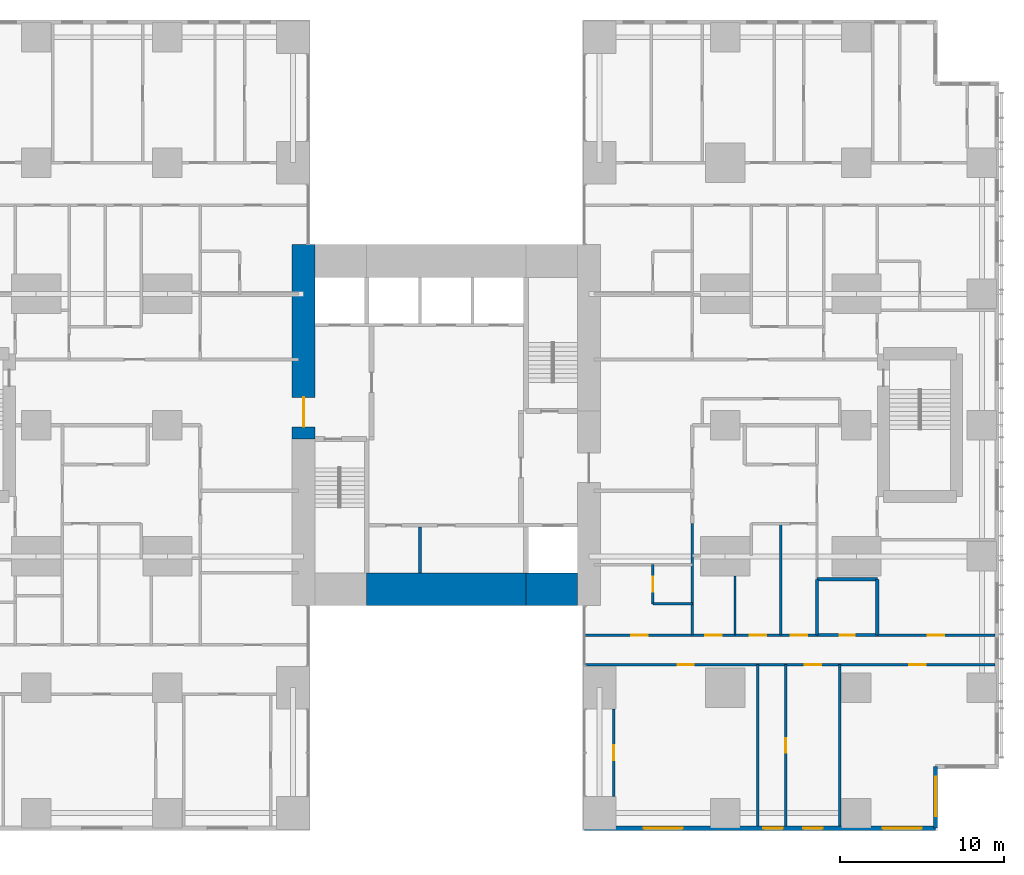
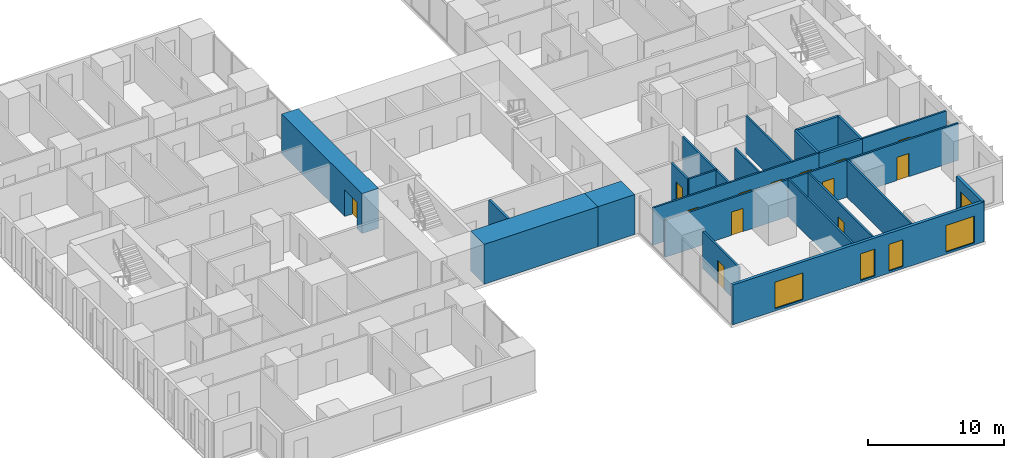
# One storey, part 14 of 20: 22 walls, 13 doors, 5 windows, 18 openings.
"""IFC4 building model written with IfcOpenShell, lengths in metres."""

from ifc_helpers import new_model, si_unit, direction, frame, frame_2d, origin, place, context, subcontext, project, spatial, rectangle, extrude, material, layer, layer_set, type_object, element, fill, save


model = new_model("IFC4")

# Units and contexts
model_context = context("Model", 3, precision=1e-05, world=origin(), true_north=direction((0.0, 1.0)))
body_context = subcontext(model_context, "Body", "Model", "MODEL_VIEW")
ifc_project = project(units=[si_unit("LENGTHUNIT", "METRE"), si_unit("AREAUNIT", "SQUARE_METRE"), si_unit("VOLUMEUNIT", "CUBIC_METRE"), si_unit("PLANEANGLEUNIT", "RADIAN"), si_unit("MASSUNIT", "GRAM", prefix="KILO")], contexts=[model_context])

# Site, building, storey
site_placement = place(None, origin())
site = spatial("IfcSite", under=ifc_project, at=site_placement, CompositionType="ELEMENT")
building_placement = place(site_placement, origin())
building = spatial("IfcBuilding", under=site, at=building_placement, Name="Cleftline Residences", CompositionType="ELEMENT")
storey_placement = place(building_placement, frame((0.0, 0.0, 185.800048828125)))
storey = spatial("IfcBuildingStorey", under=building, at=storey_placement, Name="L48", CompositionType="ELEMENT", Elevation=185.800048828125)

# Wall, opening, door
ifc_material_1 = material(Name="Concrete B70", Category="concrete")
ifc_layer_1 = layer(ifc_material_1, 1.39990234375)
ifc_layer_set_1 = layer_set([ifc_layer_1], Name="CORE WALL 1400")
wall_type_1 = type_object("IfcWallType", Name="CORE WALL 1400", PredefinedType="SHEAR", material=ifc_layer_set_1)
wall_1_placement = place(storey_placement, frame((24.300048828125, 23.14990234375, 0.0), z_axis=(0.0, 0.0, 1.0), x_axis=(0.0, 1.0, 0.0)))
wall_1 = element("IfcWall", 1, at=wall_1_placement, inside=storey, type_object=wall_type_1, Name="Core wall W", PredefinedType="SHEAR", context=body_context, shape_type="SweptSolid", body=[
    extrude(rectangle(XDim=11.85009765625, YDim=1.39990234375, at=frame_2d((5.925048828125, 0.0))), origin(), (0.0, 0.0, 1.0), 3.599853515625),
])
opening_1_placement = place(wall_1_placement, frame((0.75, 0.0, 0.0)))
opening_1 = element("IfcOpeningElement", 2, at=opening_1_placement, cuts=wall_1, Name="Opening D7", PredefinedType="OPENING", context=body_context, shape_type="SweptSolid", body=[
    extrude(rectangle(XDim=1.800048828125, YDim=2.39990234375, at=frame_2d((0.89990234375, 1.199951171875))), frame((0.0, 0.7099609375, 0.0), z_axis=(0.0, -1.0, 0.0), x_axis=(1.0, 0.0, 0.0)), (0.0, 0.0, 1.0), 1.419921875),
])
ifc_material_2 = material(Name="Steel", Category="steel")
door_type_1 = type_object("IfcDoorType", Name="WING DOOR 1800X2400", OperationType="DOUBLE_DOOR_DOUBLE_SWING", PredefinedType="DOOR", material=ifc_material_2)
door_1_placement = place(opening_1_placement, origin())
door_1 = element("IfcDoor", 3, at=door_1_placement, inside=storey, type_object=door_type_1, Name="West wing door", OperationType="DOUBLE_DOOR_DOUBLE_SWING", OverallHeight=2.39990234375, OverallWidth=1.800048828125, PredefinedType="DOOR", context=body_context, shape_type="SweptSolid", body=[
    extrude(rectangle(XDim=1.800048828125, YDim=2.39990234375, at=frame_2d((0.89990234375, 1.199951171875))), frame((0.0, 0.02490234375, 0.0), z_axis=(0.0, -1.0, 0.0), x_axis=(1.0, 0.0, 0.0)), (0.0, 0.0, 1.0), 0.050048828125),
])
fill(opening_1, door_1)

# Walls
ifc_material_3 = material(Name="Concrete B70", Category="concrete")
ifc_layer_2 = layer(ifc_material_3, 2.0)
ifc_layer_set_2 = layer_set([ifc_layer_2], Name="CORE WALL 2000")
wall_type_2 = type_object("IfcWallType", Name="CORE WALL 2000", PredefinedType="SHEAR", material=ifc_layer_set_2)
wall_2_placement = place(storey_placement, frame((28.14990234375, 14.0, 0.0), z_axis=(0.0, 0.0, 1.0), x_axis=(1.0, 0.0, 0.0)))
element("IfcWall", 4, at=wall_2_placement, inside=storey, type_object=wall_type_2, Name="Core wall S2", PredefinedType="SHEAR", context=body_context, shape_type="SweptSolid", body=[
    extrude(rectangle(XDim=9.7001953125, YDim=2.0, at=frame_2d((4.85009765625, 0.0))), origin(), (0.0, 0.0, 1.0), 3.599853515625),
])
wall_3_placement = place(storey_placement, frame((37.85009765625, 14.0, 0.0), z_axis=(0.0, 0.0, 1.0), x_axis=(1.0, 0.0, 0.0)))
element("IfcWall", 5, at=wall_3_placement, inside=storey, type_object=wall_type_2, Name="Core wall S3", PredefinedType="SHEAR", context=body_context, shape_type="SweptSolid", body=[
    extrude(rectangle(XDim=3.14990234375, YDim=2.0, at=frame_2d((1.574951171875, 0.0))), origin(), (0.0, 0.0, 1.0), 3.599853515625),
])

# Wall, openings, windows
ifc_material_4 = material(Name="Rendered reinforced concrete blockwork", Category="masonry")
ifc_layer_3 = layer(ifc_material_4, 0.25)
ifc_layer_set_3 = layer_set([ifc_layer_3], Name="EXTERNAL WALL 250")
wall_type_3 = type_object("IfcWallType", Name="EXTERNAL WALL 250", PredefinedType="SOLIDWALL", material=ifc_layer_set_3)
wall_4_placement = place(storey_placement, frame((41.425048828125, -0.574951171875, 0.0), z_axis=(0.0, 0.0, 1.0), x_axis=(1.0, 0.0, 0.0)))
wall_4 = element("IfcWall", 6, at=wall_4_placement, inside=storey, type_object=wall_type_3, Name="External wall", PredefinedType="SOLIDWALL", context=body_context, shape_type="SweptSolid", body=[
    extrude(rectangle(XDim=21.39990234375, YDim=0.25, at=frame_2d((10.699951171875, 0.0))), origin(), (0.0, 0.0, 1.0), 3.599853515625),
])
opening_2_placement = place(wall_4_placement, frame((3.60009765625, 0.0, 0.199951171875)))
opening_2 = element("IfcOpeningElement", 7, at=opening_2_placement, cuts=wall_4, Name="Opening W9", PredefinedType="OPENING", context=body_context, shape_type="SweptSolid", body=[
    extrude(rectangle(XDim=2.39990234375, YDim=2.39990234375, at=frame_2d((1.199951171875, 1.199951171875))), frame((0.0, 0.135009765625, 0.0), z_axis=(0.0, -1.0, 0.0), x_axis=(1.0, 0.0, 0.0)), (0.0, 0.0, 1.0), 0.27001953125),
])
opening_3_placement = place(wall_4_placement, frame((10.89990234375, 0.0, 0.199951171875)))
opening_3 = element("IfcOpeningElement", 8, at=opening_3_placement, cuts=wall_4, Name="Opening W13", PredefinedType="OPENING", context=body_context, shape_type="SweptSolid", body=[
    extrude(rectangle(XDim=1.199951171875, YDim=2.39990234375, at=frame_2d((0.60009765625, 1.199951171875))), frame((0.0, 0.135009765625, 0.0), z_axis=(0.0, -1.0, 0.0), x_axis=(1.0, 0.0, 0.0)), (0.0, 0.0, 1.0), 0.27001953125),
])
opening_4_placement = place(wall_4_placement, frame((13.324951171875, 0.0, 0.199951171875)))
opening_4 = element("IfcOpeningElement", 9, at=opening_4_placement, cuts=wall_4, Name="Opening W13", PredefinedType="OPENING", context=body_context, shape_type="SweptSolid", body=[
    extrude(rectangle(XDim=1.199951171875, YDim=2.39990234375, at=frame_2d((0.60009765625, 1.199951171875))), frame((0.0, 0.135009765625, 0.0), z_axis=(0.0, -1.0, 0.0), x_axis=(1.0, 0.0, 0.0)), (0.0, 0.0, 1.0), 0.27001953125),
])
opening_5_placement = place(wall_4_placement, frame((18.175048828125, 0.0, 0.199951171875)))
opening_5 = element("IfcOpeningElement", 10, at=opening_5_placement, cuts=wall_4, Name="Opening W9", PredefinedType="OPENING", context=body_context, shape_type="SweptSolid", body=[
    extrude(rectangle(XDim=2.39990234375, YDim=2.39990234375, at=frame_2d((1.199951171875, 1.199951171875))), frame((0.0, 0.135009765625, 0.0), z_axis=(0.0, -1.0, 0.0), x_axis=(1.0, 0.0, 0.0)), (0.0, 0.0, 1.0), 0.27001953125),
])
ifc_material_5 = material(Name="Aluminium frame, clear double glazing", Category="aluminium")
window_type_1 = type_object("IfcWindowType", Name="WINDOW 1200X2400", PartitioningType="DOUBLE_PANEL_VERTICAL", PredefinedType="WINDOW", material=ifc_material_5)
window_1_placement = place(opening_3_placement, origin())
window_1 = element("IfcWindow", 11, at=window_1_placement, inside=storey, type_object=window_type_1, Name="Window", OverallHeight=2.39990234375, OverallWidth=1.199951171875, PartitioningType="SINGLE_PANEL", PredefinedType="WINDOW", context=body_context, shape_type="SweptSolid", body=[
    extrude(rectangle(XDim=1.199951171875, YDim=2.39990234375, at=frame_2d((0.60009765625, 1.199951171875))), frame((0.0, 0.030029296875, 0.0), z_axis=(0.0, -1.0, 0.0), x_axis=(1.0, 0.0, 0.0)), (0.0, 0.0, 1.0), 0.06005859375),
])
fill(opening_3, window_1)
window_2_placement = place(opening_4_placement, origin())
window_2 = element("IfcWindow", 12, at=window_2_placement, inside=storey, type_object=window_type_1, Name="Window", OverallHeight=2.39990234375, OverallWidth=1.199951171875, PartitioningType="SINGLE_PANEL", PredefinedType="WINDOW", context=body_context, shape_type="SweptSolid", body=[
    extrude(rectangle(XDim=1.199951171875, YDim=2.39990234375, at=frame_2d((0.60009765625, 1.199951171875))), frame((0.0, 0.030029296875, 0.0), z_axis=(0.0, -1.0, 0.0), x_axis=(1.0, 0.0, 0.0)), (0.0, 0.0, 1.0), 0.06005859375),
])
fill(opening_4, window_2)
ifc_material_6 = material(Name="Aluminium frame, clear double glazing", Category="aluminium")
window_type_2 = type_object("IfcWindowType", Name="WINDOW 2400X2400", PartitioningType="DOUBLE_PANEL_VERTICAL", PredefinedType="WINDOW", material=ifc_material_6)
window_3_placement = place(opening_2_placement, origin())
window_3 = element("IfcWindow", 13, at=window_3_placement, inside=storey, type_object=window_type_2, Name="Window", OverallHeight=2.39990234375, OverallWidth=2.39990234375, PartitioningType="SINGLE_PANEL", PredefinedType="WINDOW", context=body_context, shape_type="SweptSolid", body=[
    extrude(rectangle(XDim=2.39990234375, YDim=2.39990234375, at=frame_2d((1.199951171875, 1.199951171875))), frame((0.0, 0.030029296875, 0.0), z_axis=(0.0, -1.0, 0.0), x_axis=(1.0, 0.0, 0.0)), (0.0, 0.0, 1.0), 0.06005859375),
])
fill(opening_2, window_3)
window_4_placement = place(opening_5_placement, origin())
window_4 = element("IfcWindow", 14, at=window_4_placement, inside=storey, type_object=window_type_2, Name="Window", OverallHeight=2.39990234375, OverallWidth=2.39990234375, PartitioningType="SINGLE_PANEL", PredefinedType="WINDOW", context=body_context, shape_type="SweptSolid", body=[
    extrude(rectangle(XDim=2.39990234375, YDim=2.39990234375, at=frame_2d((1.199951171875, 1.199951171875))), frame((0.0, 0.030029296875, 0.0), z_axis=(0.0, -1.0, 0.0), x_axis=(1.0, 0.0, 0.0)), (0.0, 0.0, 1.0), 0.06005859375),
])
fill(opening_5, window_4)

# Wall, opening, window
wall_5_placement = place(storey_placement, frame((62.824951171875, -0.574951171875, 0.0), z_axis=(0.0, 0.0, 1.0), x_axis=(0.0, 1.0, 0.0)))
wall_5 = element("IfcWall", 15, at=wall_5_placement, inside=storey, type_object=wall_type_3, Name="External wall", PredefinedType="SOLIDWALL", context=body_context, shape_type="SweptSolid", body=[
    extrude(rectangle(XDim=3.75, YDim=0.25, at=frame_2d((1.875, 0.0))), origin(), (0.0, 0.0, 1.0), 3.599853515625),
])
opening_6_placement = place(wall_5_placement, frame((0.737548828125, 0.0, 0.199951171875)))
opening_6 = element("IfcOpeningElement", 16, at=opening_6_placement, cuts=wall_5, Name="Opening W9", PredefinedType="OPENING", context=body_context, shape_type="SweptSolid", body=[
    extrude(rectangle(XDim=2.39990234375, YDim=2.39990234375, at=frame_2d((1.199951171875, 1.199951171875))), frame((0.0, 0.135009765625, 0.0), z_axis=(0.0, -1.0, 0.0), x_axis=(1.0, 0.0, 0.0)), (0.0, 0.0, 1.0), 0.27001953125),
])
window_5_placement = place(opening_6_placement, origin())
window_5 = element("IfcWindow", 17, at=window_5_placement, inside=storey, type_object=window_type_2, Name="Window", OverallHeight=2.39990234375, OverallWidth=2.39990234375, PartitioningType="SINGLE_PANEL", PredefinedType="WINDOW", context=body_context, shape_type="SweptSolid", body=[
    extrude(rectangle(XDim=2.39990234375, YDim=2.39990234375, at=frame_2d((1.199951171875, 1.199951171875))), frame((0.0, 0.030029296875, 0.0), z_axis=(0.0, -1.0, 0.0), x_axis=(1.0, 0.0, 0.0)), (0.0, 0.0, 1.0), 0.06005859375),
])
fill(opening_6, window_5)

# Wall, opening, door
ifc_material_7 = material(Name="Concrete blockwork, fire rated", Category="masonry")
ifc_layer_4 = layer(ifc_material_7, 0.199951171875)
ifc_layer_set_4 = layer_set([ifc_layer_4], Name="FIRE WALL 200")
wall_type_4 = type_object("IfcWallType", Name="FIRE WALL 200", PredefinedType="PARTITIONING", material=ifc_layer_set_4)
wall_6_placement = place(storey_placement, frame((55.60009765625, 11.199951171875, 0.0), z_axis=(0.0, 0.0, 1.0), x_axis=(1.0, 0.0, 0.0)))
wall_6 = element("IfcWall", 18, at=wall_6_placement, inside=storey, type_object=wall_type_4, Name="Fire separating wall", PredefinedType="PARTITIONING", context=body_context, shape_type="SweptSolid", body=[
    extrude(rectangle(XDim=3.6748046875, YDim=0.199951171875, at=frame_2d((1.83740234375, 0.0))), origin(), (0.0, 0.0, 1.0), 3.349853515625),
])
opening_7_placement = place(wall_6_placement, frame((1.387451171875, 0.0, 0.0)))
opening_7 = element("IfcOpeningElement", 19, at=opening_7_placement, cuts=wall_6, Name="Opening D1F30", PredefinedType="OPENING", context=body_context, shape_type="SweptSolid", body=[
    extrude(rectangle(XDim=0.89990234375, YDim=2.10009765625, at=frame_2d((0.449951171875, 1.050048828125))), frame((0.0, 0.10986328125, 0.0), z_axis=(0.0, -1.0, 0.0), x_axis=(1.0, 0.0, 0.0)), (0.0, 0.0, 1.0), 0.219970703125),
])
ifc_material_8 = material(Name="Timber veneer on solid core", Category="wood")
door_type_2 = type_object("IfcDoorType", Name="DOOR 900X2100 EI 30", OperationType="SINGLE_SWING_LEFT", PredefinedType="DOOR", material=ifc_material_8)
door_2_placement = place(opening_7_placement, origin())
door_2 = element("IfcDoor", 20, at=door_2_placement, inside=storey, type_object=door_type_2, Name="Door to guest wc", OperationType="SINGLE_SWING_LEFT", OverallHeight=2.10009765625, OverallWidth=0.89990234375, PredefinedType="DOOR", context=body_context, shape_type="SweptSolid", body=[
    extrude(rectangle(XDim=0.89990234375, YDim=2.10009765625, at=frame_2d((0.449951171875, 1.050048828125))), frame((0.0, 0.02490234375, 0.0), z_axis=(0.0, -1.0, 0.0), x_axis=(1.0, 0.0, 0.0)), (0.0, 0.0, 1.0), 0.050048828125),
])
fill(opening_7, door_2)

# Walls
wall_7_placement = place(storey_placement, frame((55.60009765625, 14.60009765625, 0.0), z_axis=(0.0, 0.0, 1.0), x_axis=(1.0, 0.0, 0.0)))
element("IfcWall", 21, at=wall_7_placement, inside=storey, type_object=wall_type_4, Name="Fire separating wall", PredefinedType="PARTITIONING", context=body_context, shape_type="SweptSolid", body=[
    extrude(rectangle(XDim=3.6748046875, YDim=0.199951171875, at=frame_2d((1.83740234375, 0.0))), origin(), (0.0, 0.0, 1.0), 3.349853515625),
])
for number, where, z_axis, x_axis, name in (
    (22, (55.60009765625, 11.199951171875, 0.0), (0.0, 0.0, 1.0), (0.0, 1.0, 0.0), "Fire separating wall"),
    (23, (59.27490234375, 11.199951171875, 0.0), (0.0, 0.0, 1.0), (0.0, 1.0, 0.0), "Fire separating wall"),
):
    element("IfcWall", number, at=place(storey_placement, frame(where, z_axis=z_axis, x_axis=x_axis)), inside=storey, type_object=wall_type_4, Name=name, PredefinedType="PARTITIONING", context=body_context, shape_type="SweptSolid", body=[
        extrude(rectangle(XDim=3.400146484375, YDim=0.199951171875, at=frame_2d((1.7001953125, 0.0))), origin(), (0.0, 0.0, 1.0), 3.349853515625),
    ])

# Wall, openings, doors
ifc_material_9 = material(Name="Gypsum board on steel studs", Category="steel")
ifc_layer_5 = layer(ifc_material_9, 0.14990234375)
ifc_layer_set_5 = layer_set([ifc_layer_5], Name="PARTITION 150")
wall_type_5 = type_object("IfcWallType", Name="PARTITION 150", PredefinedType="PARTITIONING", material=ifc_layer_set_5)
wall_8_placement = place(storey_placement, frame((41.43896484375, 9.39990234375, 0.0), z_axis=(0.0, 0.0, 1.0), x_axis=(1.0, 0.0, 0.0)))
wall_8 = element("IfcWall", 24, at=wall_8_placement, inside=storey, type_object=wall_type_5, Name="Partition", PredefinedType="PARTITIONING", context=body_context, shape_type="SweptSolid", body=[
    extrude(rectangle(XDim=25.010986328125, YDim=0.14990234375, at=frame_2d((12.50537109375, 0.0))), origin(), (0.0, 0.0, 1.0), 3.349853515625),
])
opening_8_placement = place(wall_8_placement, frame((19.785888671875, 0.0, 0.0)))
opening_8 = element("IfcOpeningElement", 25, at=opening_8_placement, cuts=wall_8, Name="Opening D2", PredefinedType="OPENING", context=body_context, shape_type="SweptSolid", body=[
    extrude(rectangle(XDim=1.0, YDim=2.10009765625, at=frame_2d((0.5, 1.050048828125))), frame((0.0, 0.0849609375, 0.0), z_axis=(0.0, -1.0, 0.0), x_axis=(1.0, 0.0, 0.0)), (0.0, 0.0, 1.0), 0.169921875),
])
opening_9_placement = place(wall_8_placement, frame((13.410888671875, 0.0, 0.0)))
opening_9 = element("IfcOpeningElement", 26, at=opening_9_placement, cuts=wall_8, Name="Opening D2", PredefinedType="OPENING", context=body_context, shape_type="SweptSolid", body=[
    extrude(rectangle(XDim=1.0, YDim=2.10009765625, at=frame_2d((0.5, 1.050048828125))), frame((0.0, 0.0849609375, 0.0), z_axis=(0.0, -1.0, 0.0), x_axis=(1.0, 0.0, 0.0)), (0.0, 0.0, 1.0), 0.169921875),
])
opening_10_placement = place(wall_8_placement, frame((5.660888671875, 0.0, 0.0)))
opening_10 = element("IfcOpeningElement", 27, at=opening_10_placement, cuts=wall_8, Name="Opening D2", PredefinedType="OPENING", context=body_context, shape_type="SweptSolid", body=[
    extrude(rectangle(XDim=1.0, YDim=2.10009765625, at=frame_2d((0.5, 1.050048828125))), frame((0.0, 0.0849609375, 0.0), z_axis=(0.0, -1.0, 0.0), x_axis=(1.0, 0.0, 0.0)), (0.0, 0.0, 1.0), 0.169921875),
])
ifc_material_10 = material(Name="Timber veneer on solid core", Category="wood")
door_type_3 = type_object("IfcDoorType", Name="DOOR 1000X2100", OperationType="SINGLE_SWING_LEFT", PredefinedType="DOOR", material=ifc_material_10)
door_3_placement = place(opening_8_placement, origin())
door_3 = element("IfcDoor", 28, at=door_3_placement, inside=storey, type_object=door_type_3, Name="Door to sea-view dining room", OperationType="SINGLE_SWING_LEFT", OverallHeight=2.10009765625, OverallWidth=1.0, PredefinedType="DOOR", context=body_context, shape_type="SweptSolid", body=[
    extrude(rectangle(XDim=1.0, YDim=2.10009765625, at=frame_2d((0.5, 1.050048828125))), frame((0.0, 0.02490234375, 0.0), z_axis=(0.0, -1.0, 0.0), x_axis=(1.0, 0.0, 0.0)), (0.0, 0.0, 1.0), 0.050048828125),
])
fill(opening_8, door_3)
door_4_placement = place(opening_9_placement, origin())
door_4 = element("IfcDoor", 29, at=door_4_placement, inside=storey, type_object=door_type_3, Name="Door to show kitchen", OperationType="SINGLE_SWING_LEFT", OverallHeight=2.10009765625, OverallWidth=1.0, PredefinedType="DOOR", context=body_context, shape_type="SweptSolid", body=[
    extrude(rectangle(XDim=1.0, YDim=2.10009765625, at=frame_2d((0.5, 1.050048828125))), frame((0.0, 0.02490234375, 0.0), z_axis=(0.0, -1.0, 0.0), x_axis=(1.0, 0.0, 0.0)), (0.0, 0.0, 1.0), 0.050048828125),
])
fill(opening_9, door_4)
door_5_placement = place(opening_10_placement, origin())
door_5 = element("IfcDoor", 30, at=door_5_placement, inside=storey, type_object=door_type_3, Name="Door to family room", OperationType="SINGLE_SWING_RIGHT", OverallHeight=2.10009765625, OverallWidth=1.0, PredefinedType="DOOR", context=body_context, shape_type="SweptSolid", body=[
    extrude(rectangle(XDim=1.0, YDim=2.10009765625, at=frame_2d((0.5, 1.050048828125))), frame((0.0, 0.02490234375, 0.0), z_axis=(0.0, -1.0, 0.0), x_axis=(1.0, 0.0, 0.0)), (0.0, 0.0, 1.0), 0.050048828125),
])
fill(opening_10, door_5)

wall_9_placement = place(storey_placement, frame((41.43896484375, 11.199951171875, 0.0), z_axis=(0.0, 0.0, 1.0), x_axis=(1.0, 0.0, 0.0)))
wall_9 = element("IfcWall", 31, at=wall_9_placement, inside=storey, type_object=wall_type_5, Name="Partition", PredefinedType="PARTITIONING", context=body_context, shape_type="SweptSolid", body=[
    extrude(rectangle(XDim=14.1611328125, YDim=0.14990234375, at=frame_2d((7.08056640625, 0.0))), origin(), (0.0, 0.0, 1.0), 3.349853515625),
])
opening_11_placement = place(wall_9_placement, frame((12.56103515625, 0.0, 0.0)))
opening_11 = element("IfcOpeningElement", 32, at=opening_11_placement, cuts=wall_9, Name="Opening D2F30", PredefinedType="OPENING", context=body_context, shape_type="SweptSolid", body=[
    extrude(rectangle(XDim=1.0, YDim=2.10009765625, at=frame_2d((0.5, 1.050048828125))), frame((0.0, 0.0849609375, 0.0), z_axis=(0.0, -1.0, 0.0), x_axis=(1.0, 0.0, 0.0)), (0.0, 0.0, 1.0), 0.169921875),
])
opening_12_placement = place(wall_9_placement, frame((10.06103515625, 0.0, 0.0)))
opening_12 = element("IfcOpeningElement", 33, at=opening_12_placement, cuts=wall_9, Name="Opening D2F30", PredefinedType="OPENING", context=body_context, shape_type="SweptSolid", body=[
    extrude(rectangle(XDim=1.0, YDim=2.10009765625, at=frame_2d((0.5, 1.050048828125))), frame((0.0, 0.0849609375, 0.0), z_axis=(0.0, -1.0, 0.0), x_axis=(1.0, 0.0, 0.0)), (0.0, 0.0, 1.0), 0.169921875),
])
opening_13_placement = place(wall_9_placement, frame((7.361083984375, 0.0, 0.0)))
opening_13 = element("IfcOpeningElement", 34, at=opening_13_placement, cuts=wall_9, Name="Opening D2F30", PredefinedType="OPENING", context=body_context, shape_type="SweptSolid", body=[
    extrude(rectangle(XDim=1.0, YDim=2.10009765625, at=frame_2d((0.5, 1.050048828125))), frame((0.0, 0.0849609375, 0.0), z_axis=(0.0, -1.0, 0.0), x_axis=(1.0, 0.0, 0.0)), (0.0, 0.0, 1.0), 0.169921875),
])
opening_14_placement = place(wall_9_placement, frame((2.8359375, 0.0, 0.0)))
opening_14 = element("IfcOpeningElement", 35, at=opening_14_placement, cuts=wall_9, Name="Opening D2F30", PredefinedType="OPENING", context=body_context, shape_type="SweptSolid", body=[
    extrude(rectangle(XDim=1.0, YDim=2.10009765625, at=frame_2d((0.5, 1.050048828125))), frame((0.0, 0.0849609375, 0.0), z_axis=(0.0, -1.0, 0.0), x_axis=(1.0, 0.0, 0.0)), (0.0, 0.0, 1.0), 0.169921875),
])
ifc_material_11 = material(Name="Timber veneer on solid core", Category="wood")
door_type_4 = type_object("IfcDoorType", Name="DOOR 1000X2100 EI 30", OperationType="SINGLE_SWING_LEFT", PredefinedType="DOOR", material=ifc_material_11)
door_6_placement = place(opening_11_placement, origin())
door_6 = element("IfcDoor", 36, at=door_6_placement, inside=storey, type_object=door_type_4, Name="Door to residence hall (gallery)", OperationType="SINGLE_SWING_LEFT", OverallHeight=2.10009765625, OverallWidth=1.0, PredefinedType="DOOR", context=body_context, shape_type="SweptSolid", body=[
    extrude(rectangle(XDim=1.0, YDim=2.10009765625, at=frame_2d((0.5, 1.050048828125))), frame((0.0, 0.02490234375, 0.0), z_axis=(0.0, -1.0, 0.0), x_axis=(1.0, 0.0, 0.0)), (0.0, 0.0, 1.0), 0.050048828125),
])
fill(opening_11, door_6)
door_7_placement = place(opening_12_placement, origin())
door_7 = element("IfcDoor", 37, at=door_7_placement, inside=storey, type_object=door_type_4, Name="Door to wet kitchen", OperationType="SINGLE_SWING_LEFT", OverallHeight=2.10009765625, OverallWidth=1.0, PredefinedType="DOOR", context=body_context, shape_type="SweptSolid", body=[
    extrude(rectangle(XDim=1.0, YDim=2.10009765625, at=frame_2d((0.5, 1.050048828125))), frame((0.0, 0.02490234375, 0.0), z_axis=(0.0, -1.0, 0.0), x_axis=(1.0, 0.0, 0.0)), (0.0, 0.0, 1.0), 0.050048828125),
])
fill(opening_12, door_7)
door_8_placement = place(opening_13_placement, origin())
door_8 = element("IfcDoor", 38, at=door_8_placement, inside=storey, type_object=door_type_4, Name="Door to library", OperationType="SINGLE_SWING_LEFT", OverallHeight=2.10009765625, OverallWidth=1.0, PredefinedType="DOOR", context=body_context, shape_type="SweptSolid", body=[
    extrude(rectangle(XDim=1.0, YDim=2.10009765625, at=frame_2d((0.5, 1.050048828125))), frame((0.0, 0.02490234375, 0.0), z_axis=(0.0, -1.0, 0.0), x_axis=(1.0, 0.0, 0.0)), (0.0, 0.0, 1.0), 0.050048828125),
])
fill(opening_13, door_8)
door_9_placement = place(opening_14_placement, origin())
door_9 = element("IfcDoor", 39, at=door_9_placement, inside=storey, type_object=door_type_4, Name="Door to staff bedroom", OperationType="SINGLE_SWING_RIGHT", OverallHeight=2.10009765625, OverallWidth=1.0, PredefinedType="DOOR", context=body_context, shape_type="SweptSolid", body=[
    extrude(rectangle(XDim=1.0, YDim=2.10009765625, at=frame_2d((0.5, 1.050048828125))), frame((0.0, 0.02490234375, 0.0), z_axis=(0.0, -1.0, 0.0), x_axis=(1.0, 0.0, 0.0)), (0.0, 0.0, 1.0), 0.050048828125),
])
fill(opening_14, door_9)

# Wall, opening, door
wall_10_placement = place(storey_placement, frame((59.27490234375, 11.199951171875, 0.0), z_axis=(0.0, 0.0, 1.0), x_axis=(1.0, 0.0, 0.0)))
wall_10 = element("IfcWall", 40, at=wall_10_placement, inside=storey, type_object=wall_type_5, Name="Partition", PredefinedType="PARTITIONING", context=body_context, shape_type="SweptSolid", body=[
    extrude(rectangle(XDim=7.175048828125, YDim=0.14990234375, at=frame_2d((3.58740234375, 0.0))), origin(), (0.0, 0.0, 1.0), 3.349853515625),
])
opening_15_placement = place(wall_10_placement, frame((3.08740234375, 0.0, 0.0)))
opening_15 = element("IfcOpeningElement", 41, at=opening_15_placement, cuts=wall_10, Name="Opening D2", PredefinedType="OPENING", context=body_context, shape_type="SweptSolid", body=[
    extrude(rectangle(XDim=1.0, YDim=2.10009765625, at=frame_2d((0.5, 1.050048828125))), frame((0.0, 0.0849609375, 0.0), z_axis=(0.0, -1.0, 0.0), x_axis=(1.0, 0.0, 0.0)), (0.0, 0.0, 1.0), 0.169921875),
])
door_10_placement = place(opening_15_placement, origin())
door_10 = element("IfcDoor", 42, at=door_10_placement, inside=storey, type_object=door_type_3, Name="Door to sea-view living room", OperationType="SINGLE_SWING_LEFT", OverallHeight=2.10009765625, OverallWidth=1.0, PredefinedType="DOOR", context=body_context, shape_type="SweptSolid", body=[
    extrude(rectangle(XDim=1.0, YDim=2.10009765625, at=frame_2d((0.5, 1.050048828125))), frame((0.0, 0.02490234375, 0.0), z_axis=(0.0, -1.0, 0.0), x_axis=(1.0, 0.0, 0.0)), (0.0, 0.0, 1.0), 0.050048828125),
])
fill(opening_15, door_10)

# Wall
wall_11_placement = place(storey_placement, frame((45.60009765625, 13.10009765625, 0.0), z_axis=(0.0, 0.0, 1.0), x_axis=(1.0, 0.0, 0.0)))
element("IfcWall", 43, at=wall_11_placement, inside=storey, type_object=wall_type_5, Name="Partition", PredefinedType="PARTITIONING", context=body_context, shape_type="SweptSolid", body=[
    extrude(rectangle(XDim=2.39990234375, YDim=0.14990234375, at=frame_2d((1.199951171875, 0.0))), origin(), (0.0, 0.0, 1.0), 3.349853515625),
])

# Wall, opening, door
wall_12_placement = place(storey_placement, frame((43.199951171875, 1.35009765625, 0.0), z_axis=(0.0, 0.0, 1.0), x_axis=(0.0, 1.0, 0.0)))
wall_12 = element("IfcWall", 44, at=wall_12_placement, inside=storey, type_object=wall_type_5, Name="Partition", PredefinedType="PARTITIONING", context=body_context, shape_type="SweptSolid", body=[
    extrude(rectangle(XDim=5.349853515625, YDim=0.14990234375, at=frame_2d((2.6748046875, 0.0))), origin(), (0.0, 0.0, 1.0), 3.349853515625),
])
opening_16_placement = place(wall_12_placement, frame((2.22509765625, 0.0, 0.0)))
opening_16 = element("IfcOpeningElement", 45, at=opening_16_placement, cuts=wall_12, Name="Opening D1", PredefinedType="OPENING", context=body_context, shape_type="SweptSolid", body=[
    extrude(rectangle(XDim=0.89990234375, YDim=2.10009765625, at=frame_2d((0.449951171875, 1.050048828125))), frame((0.0, 0.0849609375, 0.0), z_axis=(0.0, -1.0, 0.0), x_axis=(1.0, 0.0, 0.0)), (0.0, 0.0, 1.0), 0.169921875),
])
ifc_material_12 = material(Name="Timber veneer on solid core", Category="wood")
door_type_5 = type_object("IfcDoorType", Name="DOOR 900X2100", OperationType="SINGLE_SWING_LEFT", PredefinedType="DOOR", material=ifc_material_12)
door_11_placement = place(opening_16_placement, origin())
door_11 = element("IfcDoor", 46, at=door_11_placement, inside=storey, type_object=door_type_5, Name="Door to library", OperationType="SINGLE_SWING_LEFT", OverallHeight=2.10009765625, OverallWidth=0.89990234375, PredefinedType="DOOR", context=body_context, shape_type="SweptSolid", body=[
    extrude(rectangle(XDim=0.89990234375, YDim=2.10009765625, at=frame_2d((0.449951171875, 1.050048828125))), frame((0.0, 0.02490234375, 0.0), z_axis=(0.0, -1.0, 0.0), x_axis=(1.0, 0.0, 0.0)), (0.0, 0.0, 1.0), 0.050048828125),
])
fill(opening_16, door_11)

wall_13_placement = place(storey_placement, frame((45.60009765625, 13.10009765625, 0.0), z_axis=(0.0, 0.0, 1.0), x_axis=(0.0, 1.0, 0.0)))
wall_13 = element("IfcWall", 47, at=wall_13_placement, inside=storey, type_object=wall_type_5, Name="Partition", PredefinedType="PARTITIONING", context=body_context, shape_type="SweptSolid", body=[
    extrude(rectangle(XDim=2.39990234375, YDim=0.14990234375, at=frame_2d((1.199951171875, 0.0))), origin(), (0.0, 0.0, 1.0), 3.349853515625),
])
opening_17_placement = place(wall_13_placement, frame((0.75, 0.0, 0.0)))
opening_17 = element("IfcOpeningElement", 48, at=opening_17_placement, cuts=wall_13, Name="Opening D1", PredefinedType="OPENING", context=body_context, shape_type="SweptSolid", body=[
    extrude(rectangle(XDim=0.89990234375, YDim=2.10009765625, at=frame_2d((0.449951171875, 1.050048828125))), frame((0.0, 0.0849609375, 0.0), z_axis=(0.0, -1.0, 0.0), x_axis=(1.0, 0.0, 0.0)), (0.0, 0.0, 1.0), 0.169921875),
])
door_12_placement = place(opening_17_placement, origin())
door_12 = element("IfcDoor", 49, at=door_12_placement, inside=storey, type_object=door_type_5, Name="Door to staff shower room", OperationType="SINGLE_SWING_LEFT", OverallHeight=2.10009765625, OverallWidth=0.89990234375, PredefinedType="DOOR", context=body_context, shape_type="SweptSolid", body=[
    extrude(rectangle(XDim=0.89990234375, YDim=2.10009765625, at=frame_2d((0.449951171875, 1.050048828125))), frame((0.0, 0.02490234375, 0.0), z_axis=(0.0, -1.0, 0.0), x_axis=(1.0, 0.0, 0.0)), (0.0, 0.0, 1.0), 0.050048828125),
])
fill(opening_17, door_12)

# Walls
wall_14_placement = place(storey_placement, frame((48.0, 11.199951171875, 0.0), z_axis=(0.0, 0.0, 1.0), x_axis=(0.0, 1.0, 0.0)))
element("IfcWall", 50, at=wall_14_placement, inside=storey, type_object=wall_type_5, Name="Partition", PredefinedType="PARTITIONING", context=body_context, shape_type="SweptSolid", body=[
    extrude(rectangle(XDim=6.800048828125, YDim=0.14990234375, at=frame_2d((3.39990234375, 0.0))), origin(), (0.0, 0.0, 1.0), 3.349853515625),
])
wall_15_placement = place(storey_placement, frame((50.60009765625, 11.199951171875, 0.0), z_axis=(0.0, 0.0, 1.0), x_axis=(0.0, 1.0, 0.0)))
element("IfcWall", 51, at=wall_15_placement, inside=storey, type_object=wall_type_5, Name="Partition", PredefinedType="PARTITIONING", context=body_context, shape_type="SweptSolid", body=[
    extrude(rectangle(XDim=3.60009765625, YDim=0.14990234375, at=frame_2d((1.800048828125, 0.0))), origin(), (0.0, 0.0, 1.0), 3.349853515625),
])
wall_16_placement = place(storey_placement, frame((52.0, -0.449951171875, 0.0), z_axis=(0.0, 0.0, 1.0), x_axis=(0.0, 1.0, 0.0)))
element("IfcWall", 52, at=wall_16_placement, inside=storey, type_object=wall_type_5, Name="Partition", PredefinedType="PARTITIONING", context=body_context, shape_type="SweptSolid", body=[
    extrude(rectangle(XDim=9.849853515625, YDim=0.14990234375, at=frame_2d((4.9248046875, 0.0))), origin(), (0.0, 0.0, 1.0), 3.349853515625),
])
wall_17_placement = place(storey_placement, frame((53.39990234375, 11.199951171875, 0.0), z_axis=(0.0, 0.0, 1.0), x_axis=(0.0, 1.0, 0.0)))
element("IfcWall", 53, at=wall_17_placement, inside=storey, type_object=wall_type_5, Name="Partition", PredefinedType="PARTITIONING", context=body_context, shape_type="SweptSolid", body=[
    extrude(rectangle(XDim=6.800048828125, YDim=0.14990234375, at=frame_2d((3.39990234375, 0.0))), origin(), (0.0, 0.0, 1.0), 3.349853515625),
])

# Wall, opening, door
wall_18_placement = place(storey_placement, frame((53.699951171875, -0.449951171875, 0.0), z_axis=(0.0, 0.0, 1.0), x_axis=(0.0, 1.0, 0.0)))
wall_18 = element("IfcWall", 54, at=wall_18_placement, inside=storey, type_object=wall_type_5, Name="Partition", PredefinedType="PARTITIONING", context=body_context, shape_type="SweptSolid", body=[
    extrude(rectangle(XDim=9.849853515625, YDim=0.14990234375, at=frame_2d((4.9248046875, 0.0))), origin(), (0.0, 0.0, 1.0), 3.349853515625),
])
opening_18_placement = place(wall_18_placement, frame((4.47509765625, 0.0, 0.0)))
opening_18 = element("IfcOpeningElement", 55, at=opening_18_placement, cuts=wall_18, Name="Opening D1", PredefinedType="OPENING", context=body_context, shape_type="SweptSolid", body=[
    extrude(rectangle(XDim=0.89990234375, YDim=2.10009765625, at=frame_2d((0.449951171875, 1.050048828125))), frame((0.0, 0.0849609375, 0.0), z_axis=(0.0, -1.0, 0.0), x_axis=(1.0, 0.0, 0.0)), (0.0, 0.0, 1.0), 0.169921875),
])
door_13_placement = place(opening_18_placement, origin())
door_13 = element("IfcDoor", 56, at=door_13_placement, inside=storey, type_object=door_type_5, Name="Door to larder", OperationType="SINGLE_SWING_LEFT", OverallHeight=2.10009765625, OverallWidth=0.89990234375, PredefinedType="DOOR", context=body_context, shape_type="SweptSolid", body=[
    extrude(rectangle(XDim=0.89990234375, YDim=2.10009765625, at=frame_2d((0.449951171875, 1.050048828125))), frame((0.0, 0.02490234375, 0.0), z_axis=(0.0, -1.0, 0.0), x_axis=(1.0, 0.0, 0.0)), (0.0, 0.0, 1.0), 0.050048828125),
])
fill(opening_18, door_13)

# Walls
wall_19_placement = place(storey_placement, frame((57.0, -0.449951171875, 0.0), z_axis=(0.0, 0.0, 1.0), x_axis=(0.0, 1.0, 0.0)))
element("IfcWall", 57, at=wall_19_placement, inside=storey, type_object=wall_type_5, Name="Partition", PredefinedType="PARTITIONING", context=body_context, shape_type="SweptSolid", body=[
    extrude(rectangle(XDim=9.849853515625, YDim=0.14990234375, at=frame_2d((4.9248046875, 0.0))), origin(), (0.0, 0.0, 1.0), 3.349853515625),
])
ifc_material_13 = material(Name="Concrete blockwork, fire rated", Category="masonry")
ifc_layer_6 = layer(ifc_material_13, 0.199951171875)
ifc_layer_set_6 = layer_set([ifc_layer_6], Name="SHAFT WALL 200")
wall_type_6 = type_object("IfcWallType", Name="SHAFT WALL 200", PredefinedType="PARTITIONING", material=ifc_layer_set_6)
wall_20_placement = place(storey_placement, frame((31.39990234375, 15.0, 0.0), z_axis=(0.0, 0.0, 1.0), x_axis=(0.0, 1.0, 0.0)))
element("IfcWall", 58, at=wall_20_placement, inside=storey, type_object=wall_type_6, Name="Core room wall", PredefinedType="PARTITIONING", context=body_context, shape_type="SweptSolid", body=[
    extrude(rectangle(XDim=2.800048828125, YDim=0.199951171875, at=frame_2d((1.39990234375, 0.0))), origin(), (0.0, 0.0, 1.0), 3.599853515625),
])

save(model, "model.ifc")
